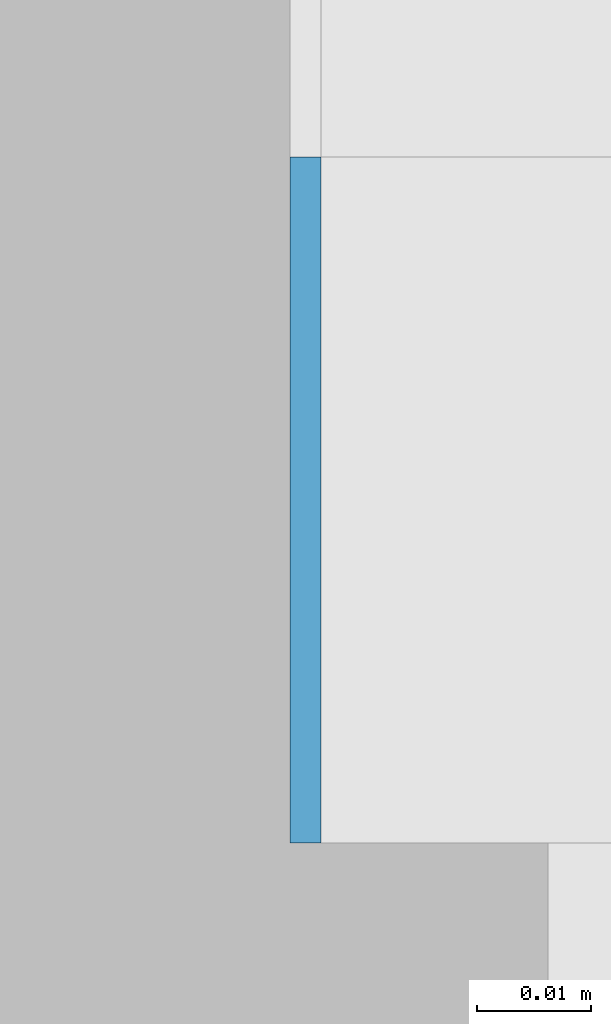
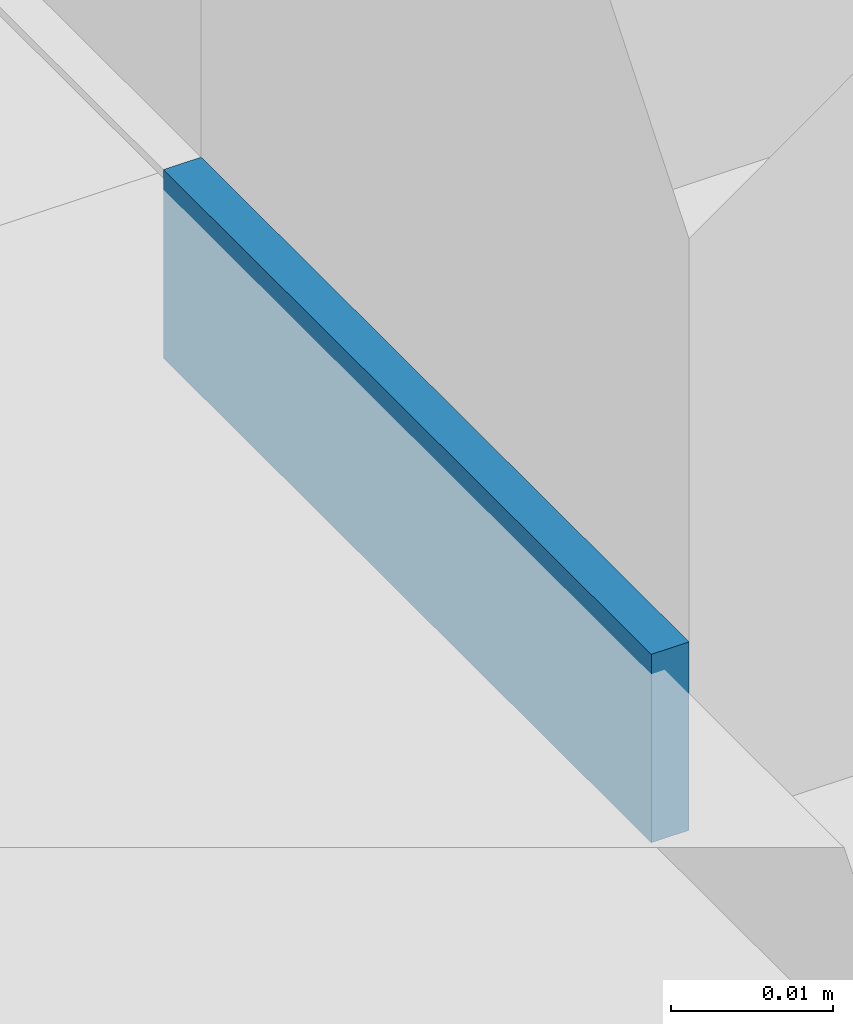
# One storey, part 604 of 646: 1 discrete accessory.
"""IFC4 building model written with IfcOpenShell, lengths in metres."""

from ifc_helpers import new_model, si_unit, direction, frame, origin, origin_2d, place, context, subcontext, project, spatial, rectangle, extrude, material, type_object, element, save


model = new_model("IFC4")

# Units and contexts
model_context = context("Model", 3, precision=1e-05, world=origin(), true_north=direction((0.0, 1.0)))
body_context = subcontext(model_context, "Body", "Model", "MODEL_VIEW")
ifc_project = project(units=[si_unit("LENGTHUNIT", "METRE"), si_unit("AREAUNIT", "SQUARE_METRE"), si_unit("VOLUMEUNIT", "CUBIC_METRE"), si_unit("PLANEANGLEUNIT", "RADIAN"), si_unit("MASSUNIT", "GRAM", prefix="KILO")], contexts=[model_context])

# Site, building, storey
site_placement = place(None, origin())
site = spatial("IfcSite", under=ifc_project, at=site_placement, CompositionType="ELEMENT")
building_placement = place(site_placement, origin())
building = spatial("IfcBuilding", under=site, at=building_placement, Name="Silverbay Arena", CompositionType="ELEMENT")
storey_placement = place(building_placement, frame((0.0, 0.0, 33.5)))
storey = spatial("IfcBuildingStorey", under=building, at=storey_placement, Name="L05", CompositionType="ELEMENT", Elevation=33.5)

# Discrete accessory
ifc_material = material(Name="Steel S355", Category="steel")
discrete_accessory_type = type_object("IfcDiscreteAccessoryType", Name="Steel bracket plate", PredefinedType="BRACKET", material=ifc_material)
discrete_accessory_placement = place(storey_placement, frame((207.128662109375, 125.969970703125, 4.0), z_axis=(0.0, 0.0, 1.0), x_axis=(1.0, 0.0, 0.0)))
element("IfcDiscreteAccessory", 1, at=discrete_accessory_placement, inside=storey, type_object=discrete_accessory_type, Name="Curtain wall packing plate", PredefinedType="BRACKET", context=body_context, shape_type="SweptSolid", body=[
    extrude(rectangle(XDim=0.002685546875, YDim=0.06005859375, at=origin_2d()), origin(), (0.0, 0.0, 1.0), 0.01416015625),
])

save(model, "model.ifc")
